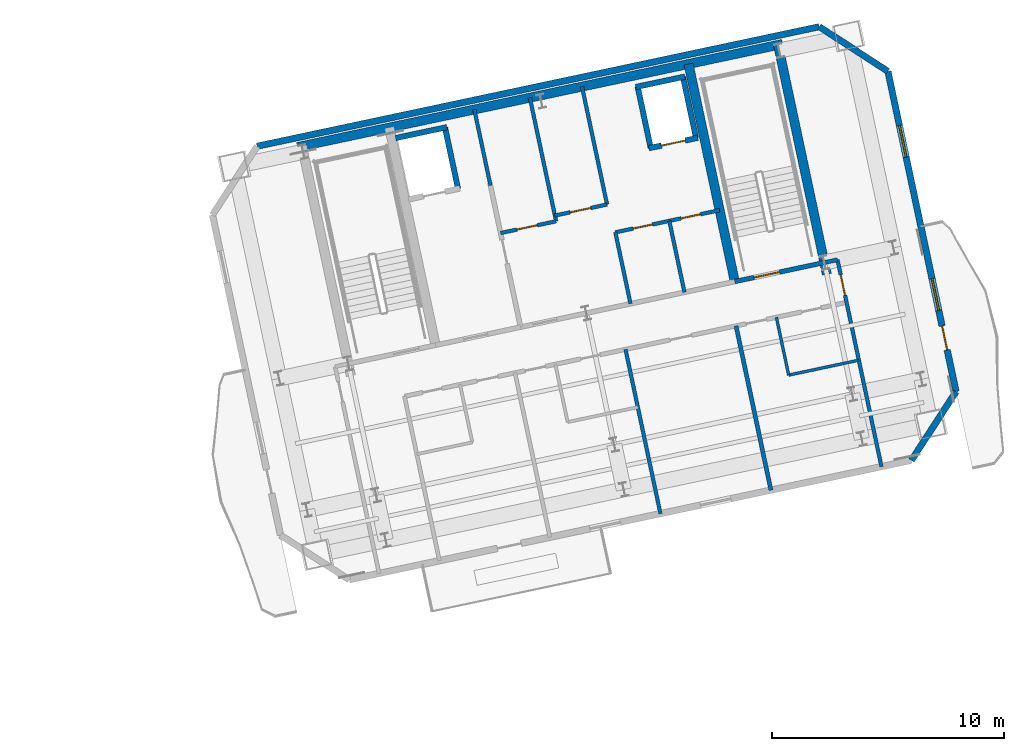
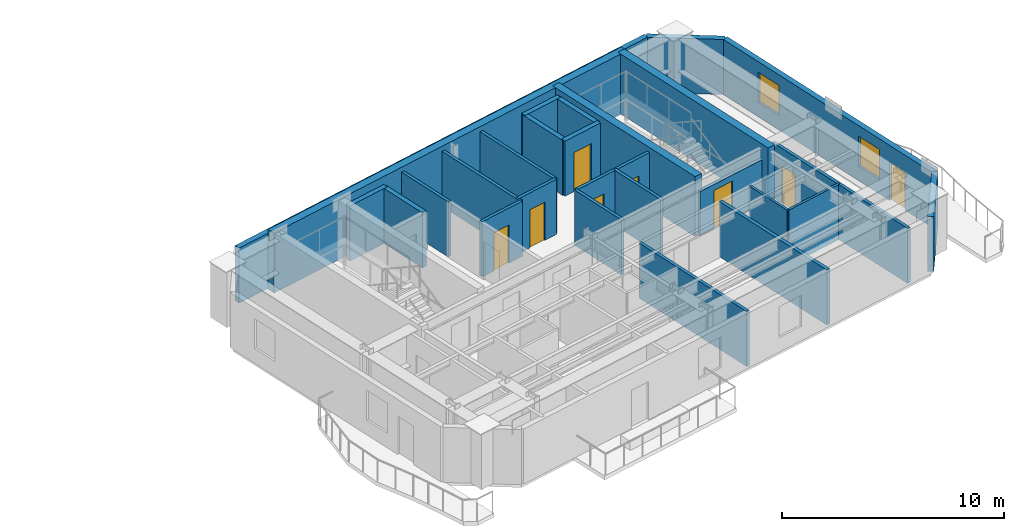
# One storey, part 11 of 16: 28 walls, 8 doors, 2 windows, 10 openings.
"""IFC4 building model written with IfcOpenShell, lengths in metres."""

import ifcopenshell
import ifcopenshell.guid

model = None  # the IFC model being written
_history = None  # IfcOwnerHistory: only IFC2X3 demands one
_inside = {}  # id of a spatial element -> (the spatial element, [elements in it])
_under = {}  # id of a project, library or spatial element -> (it, [spatial elements below it])
_declared = {}  # id of a project -> (the project, [libraries it declares])
_typed = {}  # id of a type object -> (the type object, [elements of that type])
_made_of = {}  # id of a material, layer set ... -> (it, [elements and type objects made of it])


def new_model(schema):
    """Start an empty IFC model of exactly this schema.

    Asked for "IFC4X3", IfcOpenShell would pick the latest addendum, in which some entities
    have other attributes; the version numbers below select the first issue.
    IFC2X3 requires an IfcOwnerHistory on every rooted entity: one is made here for all.
    """
    global model, _history
    if schema == "IFC4X3":
        model = ifcopenshell.file(schema_version=(4, 3, 0, 0))
    else:
        model = ifcopenshell.file(schema=schema)
    _inside.clear()
    _under.clear()
    _declared.clear()
    _typed.clear()
    _made_of.clear()
    _history = None
    if model.schema == "IFC2X3":
        org = make("IfcOrganization", Name="unknown")
        user = make(
            "IfcPersonAndOrganization",
            ThePerson=make("IfcPerson", FamilyName="unknown"),
            TheOrganization=org,
        )
        app = make(
            "IfcApplication",
            ApplicationDeveloper=org,
            Version="unknown",
            ApplicationFullName="unknown",
            ApplicationIdentifier="unknown",
        )
        _history = make(
            "IfcOwnerHistory",
            OwningUser=user,
            OwningApplication=app,
            ChangeAction="ADDED",
            CreationDate=0,
        )
    return model


def make(cls, **values):
    """One entity of the class cls with the attributes given. An attribute that is None is left unset."""
    return model.create_entity(
        cls, **{name: value for name, value in values.items() if value is not None}
    )


def rooted(cls, **values):
    """An entity with a GlobalId (a new one), such as an element, a storey or a relation."""
    return make(cls, GlobalId=ifcopenshell.guid.new(), OwnerHistory=_history, **values)


def si_unit(unit_type, name, prefix=None):
    """IfcSIUnit, for example si_unit("LENGTHUNIT", "METRE", prefix="MILLI")."""
    return make("IfcSIUnit", UnitType=unit_type, Prefix=prefix, Name=name)


def assignment(units):
    """IfcUnitAssignment: the units of a project."""
    return None if units is None else make("IfcUnitAssignment", Units=units)


def point(xyz):
    """IfcCartesianPoint."""
    return None if xyz is None else make("IfcCartesianPoint", Coordinates=xyz)


def direction(xyz):
    """IfcDirection."""
    return None if xyz is None else make("IfcDirection", DirectionRatios=xyz)


def frame(location, z_axis=None, x_axis=None):
    """IfcAxis2Placement3D, a coordinate frame: its origin and axes. An axis left out is left unset."""
    return make(
        "IfcAxis2Placement3D",
        Location=point(location),
        Axis=direction(z_axis),
        RefDirection=direction(x_axis),
    )


def frame_2d(location, x_axis=None):
    """IfcAxis2Placement2D, a coordinate frame in the plane: its origin and x axis."""
    return make(
        "IfcAxis2Placement2D", Location=point(location), RefDirection=direction(x_axis)
    )


def origin():
    """The frame at (0, 0, 0) with its axes left unset."""
    return frame((0.0, 0.0, 0.0))


def place(relative_to, where):
    """IfcLocalPlacement: puts the frame where relative to a parent placement (None: the world)."""
    return make(
        "IfcLocalPlacement", PlacementRelTo=relative_to, RelativePlacement=where
    )


def context(
    kind, dimensions, precision=None, world=None, true_north=None, identifier=None
):
    """IfcGeometricRepresentationContext, for example the 3D "Model" context."""
    return make(
        "IfcGeometricRepresentationContext",
        ContextIdentifier=identifier,
        ContextType=kind,
        CoordinateSpaceDimension=dimensions,
        Precision=precision,
        WorldCoordinateSystem=world,
        TrueNorth=true_north,
    )


def subcontext(parent, identifier, kind, view, scale=None):
    """IfcGeometricRepresentationSubContext, for example "Body" below "Model"."""
    return make(
        "IfcGeometricRepresentationSubContext",
        ContextIdentifier=identifier,
        ContextType=kind,
        ParentContext=parent,
        TargetScale=scale,
        TargetView=view,
    )


def project(units=None, contexts=None):
    """IfcProject with its units and contexts."""
    return rooted(
        "IfcProject",
        Name="project",
        RepresentationContexts=contexts,
        UnitsInContext=assignment(units),
    )


def spatial(cls, under=None, at=None, **own):
    """A site, building, storey or space (cls), placed at a placement, below another one or the project."""
    s = rooted(cls, ObjectPlacement=at, **own)
    if under is not None:
        _under.setdefault(under.id(), (under, []))[1].append(s)
    return s


def profile(cls, at=None, kind="AREA", **sizes):
    """A parametric profile (cls). Its sizes go by their IFC names, for example OverallWidth=200.0."""
    return make(cls, ProfileType=kind, Position=at, **sizes)


def rectangle(**sizes):
    """IfcRectangleProfileDef."""
    return profile("IfcRectangleProfileDef", **sizes)


def extrude(swept, where, along, depth):
    """IfcExtrudedAreaSolid: the profile swept, set in the frame where, extruded along a direction by depth."""
    return make(
        "IfcExtrudedAreaSolid",
        SweptArea=swept,
        Position=where,
        ExtrudedDirection=direction(along),
        Depth=depth,
    )


def shape(context_of_items, identifier, shape_type, items):
    """IfcShapeRepresentation: the items that make up one representation, for example the "Body"."""
    return make(
        "IfcShapeRepresentation",
        ContextOfItems=context_of_items,
        RepresentationIdentifier=identifier,
        RepresentationType=shape_type,
        Items=items,
    )


def material(Name=None, Category=None):
    """IfcMaterial."""
    return make("IfcMaterial", Name=Name, Category=Category)


def layer(
    of_material, thickness, ventilated=None, Name=None, Category=None, Priority=None
):
    """IfcMaterialLayer: one layer of a wall or slab, of a material (None: an air gap)."""
    return make(
        "IfcMaterialLayer",
        Material=of_material,
        LayerThickness=thickness,
        IsVentilated=ventilated,
        Name=Name,
        Category=Category,
        Priority=Priority,
    )


def layer_set(layers, Name=None):
    """IfcMaterialLayerSet."""
    return make("IfcMaterialLayerSet", MaterialLayers=layers, LayerSetName=Name)


def made_of(thing, what):
    """Note that an element or type object is made of a material, layer set ...; save() writes the relation."""
    if what is not None:
        _made_of.setdefault(what.id(), (what, []))[1].append(thing)
    return thing


def type_object(cls, material=None, **own):
    """A type object (cls), such as IfcWallType, which elements share."""
    return made_of(rooted(cls, **own), material)


def element(
    cls,
    number,
    at=None,
    inside=None,
    cuts=None,
    type_object=None,
    material=None,
    context=None,
    identifier="Body",
    shape_type=None,
    held_by="IfcProductDefinitionShape",
    body=None,
    shapes=None,
    **own,
):
    """One element of the class cls, such as IfcWall. Its Tag is "e" and its number.

    at: its placement. inside: the storey or other place that contains it. cuts: it is an
    opening in that element (IfcRelVoidsElement). A single representation is given by context,
    identifier, shape_type and body (its items); several are given by shapes. held_by: the class
    of the entity that holds the representations. save() writes the other relations.
    """
    e = rooted(cls, Tag="e%d" % number, ObjectPlacement=at, **own)
    if body is not None:
        shapes = [shape(context, identifier, shape_type, body)]
    if shapes is not None:
        e.Representation = make(held_by, Representations=shapes)
    if inside is not None:
        _inside.setdefault(inside.id(), (inside, []))[1].append(e)
    if cuts is not None:
        rooted(
            "IfcRelVoidsElement", RelatingBuildingElement=cuts, RelatedOpeningElement=e
        )
    if type_object is not None:
        _typed.setdefault(type_object.id(), (type_object, []))[1].append(e)
    return made_of(e, material)


def fill(opening, filler):
    """IfcRelFillsElement: the door or window that sits in an opening."""
    return rooted(
        "IfcRelFillsElement",
        RelatingOpeningElement=opening,
        RelatedBuildingElement=filler,
    )


def aggregate(whole, parts):
    """IfcRelAggregates: a whole, such as a stair, and the parts it consists of."""
    return rooted("IfcRelAggregates", RelatingObject=whole, RelatedObjects=parts)


def save(model, path):
    """Write the relations noted so far, then the file.

    IfcRelAggregates (storeys below a building ...), IfcRelContainedInSpatialStructure (elements
    in a storey), IfcRelDefinesByType, IfcRelAssociatesMaterial and IfcRelDeclares: one each for
    every whole, place, type object, material and project.
    """
    for whole, parts in _under.values():
        aggregate(whole, parts)
    for where, things in _inside.values():
        rooted(
            "IfcRelContainedInSpatialStructure",
            RelatedElements=things,
            RelatingStructure=where,
        )
    for kind, things in _typed.values():
        rooted("IfcRelDefinesByType", RelatedObjects=things, RelatingType=kind)
    for what, things in _made_of.values():
        rooted("IfcRelAssociatesMaterial", RelatedObjects=things, RelatingMaterial=what)
    for by, libraries in _declared.values():
        rooted("IfcRelDeclares", RelatingContext=by, RelatedDefinitions=libraries)
    model.write(path)


model = new_model("IFC4")

# Units and contexts
model_context = context("Model", 3, precision=1e-05, world=origin(), true_north=direction((0.0, 1.0)))
body_context = subcontext(model_context, "Body", "Model", "MODEL_VIEW")
ifc_project = project(units=[si_unit("LENGTHUNIT", "METRE"), si_unit("AREAUNIT", "SQUARE_METRE"), si_unit("VOLUMEUNIT", "CUBIC_METRE"), si_unit("PLANEANGLEUNIT", "RADIAN"), si_unit("MASSUNIT", "GRAM", prefix="KILO")], contexts=[model_context])

# Site, building, storey
site_placement = place(None, origin())
site = spatial("IfcSite", under=ifc_project, at=site_placement, CompositionType="ELEMENT")
building_placement = place(site_placement, origin())
building = spatial("IfcBuilding", under=site, at=building_placement, Name="Haevon Station Towers", CompositionType="ELEMENT")
storey_placement = place(building_placement, frame((0.0, 0.0, 215.39990234375)))
storey = spatial("IfcBuildingStorey", under=building, at=storey_placement, Name="L59", CompositionType="ELEMENT", Elevation=215.39990234375)

# Walls
ifc_material_1 = material(Name="Gypsum board on steel stud", Category="steel")
ifc_layer_1 = layer(ifc_material_1, 0.179931640625)
ifc_layer_set_1 = layer_set([ifc_layer_1], Name="Gypsum board on steel stud")
wall_type_1 = type_object("IfcWallType", Name="WL-ACU180", PredefinedType="PARTITIONING", material=ifc_layer_set_1)
wall_1_placement = place(storey_placement, frame((119.29345703125, 41.80859375, 0.0), z_axis=(0.0, 0.0, 1.0), x_axis=(0.978146012851, 0.207919161079, 0.0)))
element("IfcWall", 1, at=wall_1_placement, inside=storey, type_object=wall_type_1, Name="WL-T2PT-L59-03", PredefinedType="PARTITIONING", context=body_context, shape_type="SweptSolid", body=[
    extrude(rectangle(XDim=0.580078125, YDim=0.179931640625, at=frame_2d((0.2900390625, 0.0))), origin(), (0.0, 0.0, 1.0), 1.22998046875),
])
wall_2_placement = place(storey_placement, frame((116.990478515625, 31.985107421875, 0.0), z_axis=(0.0, 0.0, 1.0), x_axis=(-0.207907487947, 0.978148494072, 0.0)))
element("IfcWall", 2, at=wall_2_placement, inside=storey, type_object=wall_type_1, Name="WL-T2PT-L59-12", PredefinedType="PARTITIONING", context=body_context, shape_type="SweptSolid", body=[
    extrude(rectangle(XDim=7.25, YDim=0.179931640625, at=frame_2d((3.625, 0.0))), origin(), (0.0, 0.0, 1.0), 3.030029296875),
])

# Wall, opening, door
ifc_layer_2 = layer(ifc_material_1, 0.199951171875)
ifc_layer_set_2 = layer_set([ifc_layer_2], Name="Gypsum board on steel stud")
wall_type_2 = type_object("IfcWallType", Name="WL-COR200", PredefinedType="PARTITIONING", material=ifc_layer_set_2)
wall_3_placement = place(storey_placement, frame((115.4296875, 40.9873046875, 0.0), z_axis=(0.0, 0.0, 1.0), x_axis=(0.978146596989, 0.207916413008, 0.0)))
wall_3 = element("IfcWall", 3, at=wall_3_placement, inside=storey, type_object=wall_type_2, Name="WL-ST-ST4-L59", PredefinedType="PARTITIONING", context=body_context, shape_type="SweptSolid", body=[
    extrude(rectangle(XDim=3.9501953125, YDim=0.199951171875, at=frame_2d((1.97509765625, 0.0))), origin(), (0.0, 0.0, 1.0), 2.43017578125),
])
opening_1_placement = place(wall_3_placement, frame((0.85009765625, 0.0, 0.0)))
opening_1 = element("IfcOpeningElement", 4, at=opening_1_placement, cuts=wall_3, Name="Opening DR-ST-ST4-L59", PredefinedType="OPENING", context=body_context, shape_type="SweptSolid", body=[
    extrude(rectangle(XDim=1.1201171875, YDim=2.10009765625, at=frame_2d((0.56005859375, 1.050048828125))), frame((0.0, 0.10986328125, 0.0), z_axis=(0.0, -1.0, 0.0), x_axis=(1.0, 0.0, 0.0)), (0.0, 0.0, 1.0), 0.219970703125),
])
ifc_material_2 = material(Name="Engineered oak timber", Category="wood")
door_type_1 = type_object("IfcDoorType", Name="DR-ST-1120", OperationType="NOTDEFINED", PredefinedType="DOOR", material=ifc_material_2)
door_1_placement = place(opening_1_placement, origin())
door_1 = element("IfcDoor", 5, at=door_1_placement, inside=storey, type_object=door_type_1, Name="L59 Escape Stair ST4 Fire Door", OperationType="SINGLE_SWING_LEFT", OverallHeight=2.10009765625, OverallWidth=1.1201171875, PredefinedType="DOOR", context=body_context, shape_type="SweptSolid", body=[
    extrude(rectangle(XDim=1.1201171875, YDim=2.10009765625, at=frame_2d((0.56005859375, 1.050048828125))), frame((0.0, 0.02490234375, 0.0), z_axis=(0.0, -1.0, 0.0), x_axis=(1.0, 0.0, 0.0)), (0.0, 0.0, 1.0), 0.050048828125),
])
fill(opening_1, door_1)

# Walls
ifc_material_3 = material(Name="Concrete C60/75", Category="concrete")
ifc_layer_3 = layer(ifc_material_3, 0.39990234375)
ifc_layer_set_3 = layer_set([ifc_layer_3], Name="Concrete C60/75")
wall_type_3 = type_object("IfcWallType", Name="WL-CR400", PredefinedType="SHEAR", material=ifc_layer_set_3)
wall_4_placement = place(storey_placement, frame((96.560791015625, 46.791015625, 0.0), z_axis=(0.0, 0.0, 1.0), x_axis=(0.978148498705, 0.207907466152, 0.0)))
element("IfcWall", 6, at=wall_4_placement, inside=storey, type_object=wall_type_3, Name="WL-T2CR-L59-N", PredefinedType="SHEAR", context=body_context, shape_type="SweptSolid", body=[
    extrude(rectangle(XDim=21.39990234375, YDim=0.39990234375, at=frame_2d((10.699951171875, 0.0))), origin(), (0.0, 0.0, 1.0), 3.300048828125),
])
wall_5_placement = place(storey_placement, frame((119.401611328125, 41.2998046875, 0.0), z_axis=(0.0, 0.0, 1.0), x_axis=(-0.207904342798, 0.978149162575, 0.0)))
element("IfcWall", 7, at=wall_5_placement, inside=storey, type_object=wall_type_3, Name="WL-T2CR-L59-E", PredefinedType="SHEAR", context=body_context, shape_type="SweptSolid", body=[
    extrude(rectangle(XDim=10.1201171875, YDim=0.39990234375, at=frame_2d((5.06005859375, 0.0))), origin(), (0.0, 0.0, 1.0), 3.300048828125),
])
wall_6_placement = place(storey_placement, frame((115.4296875, 40.9873046875, 0.0), z_axis=(0.0, 0.0, 1.0), x_axis=(-0.207903162969, 0.978149413345, 0.0)))
element("IfcWall", 8, at=wall_6_placement, inside=storey, type_object=wall_type_3, Name="WL-T2CR-L59-M2", PredefinedType="SHEAR", context=body_context, shape_type="SweptSolid", body=[
    extrude(rectangle(XDim=9.599853515625, YDim=0.39990234375, at=frame_2d((4.7998046875, 0.0))), origin(), (0.0, 0.0, 1.0), 3.300048828125),
])
ifc_material_4 = material(Name="Precast concrete C45/55", Category="concrete")
ifc_layer_4 = layer(ifc_material_4, 0.280029296875)
ifc_layer_set_4 = layer_set([ifc_layer_4], Name="Precast concrete C45/55")
wall_type_4 = type_object("IfcWallType", Name="WL-EXT-PIER280", PredefinedType="SOLIDWALL", material=ifc_layer_set_4)
wall_7_placement = place(storey_placement, frame((94.814697265625, 46.828857421875, 0.0), z_axis=(0.0, 0.0, 1.0), x_axis=(0.97814726544, 0.207913268245, 0.0)))
element("IfcWall", 9, at=wall_7_placement, inside=storey, type_object=wall_type_4, Name="WL-T2-L59-N", PredefinedType="SOLIDWALL", context=body_context, shape_type="SweptSolid", body=[
    extrude(rectangle(XDim=24.800048828125, YDim=0.280029296875, at=frame_2d((12.39990234375, 0.0))), origin(), (0.0, 0.0, 1.0), 3.030029296875),
])
wall_8_placement = place(storey_placement, frame((119.07275390625, 51.985107421875, 0.0), z_axis=(0.0, 0.0, 1.0), x_axis=(0.838672309694, -0.544636352948, 0.0)))
element("IfcWall", 10, at=wall_8_placement, inside=storey, type_object=wall_type_4, Name="WL-T2-L59-NEC", PredefinedType="SOLIDWALL", context=body_context, shape_type="SweptSolid", body=[
    extrude(rectangle(XDim=3.535400390625, YDim=0.280029296875, at=frame_2d((1.767578125, 0.0))), origin(), (0.0, 0.0, 1.0), 3.030029296875),
])

# Wall, openings, door, windows
wall_9_placement = place(storey_placement, frame((122.037841796875, 50.0595703125, 0.0), z_axis=(0.0, 0.0, 1.0), x_axis=(0.207924054969, -0.978144972571, 0.0)))
wall_9 = element("IfcWall", 11, at=wall_9_placement, inside=storey, type_object=wall_type_4, Name="WL-T2-L59-E", PredefinedType="SOLIDWALL", context=body_context, shape_type="SweptSolid", body=[
    extrude(rectangle(XDim=14.130126953125, YDim=0.280029296875, at=frame_2d((7.06494140625, 0.0))), origin(), (0.0, 0.0, 1.0), 3.030029296875),
])
opening_2_placement = place(wall_9_placement, frame((11.239990234375, 0.0, 0.0)))
opening_2 = element("IfcOpeningElement", 12, at=opening_2_placement, cuts=wall_9, Name="Opening DR-T2-SCAL-L59-E", PredefinedType="OPENING", context=body_context, shape_type="SweptSolid", body=[
    extrude(rectangle(XDim=1.050048828125, YDim=2.10009765625, at=frame_2d((0.52490234375, 1.050048828125))), frame((0.0, 0.14990234375, 0.0), z_axis=(0.0, -1.0, 0.0), x_axis=(1.0, 0.0, 0.0)), (0.0, 0.0, 1.0), 0.300048828125),
])
opening_3_placement = place(wall_9_placement, frame((2.389892578125, 0.0, 0.800048828125)))
opening_3 = element("IfcOpeningElement", 13, at=opening_3_placement, cuts=wall_9, Name="Opening WN-END140", PredefinedType="OPENING", context=body_context, shape_type="SweptSolid", body=[
    extrude(rectangle(XDim=1.39990234375, YDim=1.64990234375, at=frame_2d((0.699951171875, 0.824951171875))), frame((0.0, 0.14990234375, 0.0), z_axis=(0.0, -1.0, 0.0), x_axis=(1.0, 0.0, 0.0)), (0.0, 0.0, 1.0), 0.300048828125),
])
opening_4_placement = place(wall_9_placement, frame((9.1474609375, 0.0, 0.800048828125)))
opening_4 = element("IfcOpeningElement", 14, at=opening_4_placement, cuts=wall_9, Name="Opening WN-END140", PredefinedType="OPENING", context=body_context, shape_type="SweptSolid", body=[
    extrude(rectangle(XDim=1.39990234375, YDim=1.64990234375, at=frame_2d((0.699951171875, 0.824951171875))), frame((0.0, 0.14990234375, 0.0), z_axis=(0.0, -1.0, 0.0), x_axis=(1.0, 0.0, 0.0)), (0.0, 0.0, 1.0), 0.300048828125),
])
ifc_material_5 = material(Name="Thermally broken anodised aluminium and laminated safety glass", Category="aluminium")
door_type_2 = type_object("IfcDoorType", Name="DR-BALC-1050", OperationType="NOTDEFINED", PredefinedType="DOOR", material=ifc_material_5)
door_2_placement = place(opening_2_placement, origin())
door_2 = element("IfcDoor", 15, at=door_2_placement, inside=storey, type_object=door_type_2, Name="Tower 2 L59 East Scalloped Balcony Door", OperationType="SINGLE_SWING_RIGHT", OverallHeight=2.10009765625, OverallWidth=1.050048828125, PredefinedType="DOOR", context=body_context, shape_type="SweptSolid", body=[
    extrude(rectangle(XDim=1.050048828125, YDim=2.10009765625, at=frame_2d((0.52490234375, 1.050048828125))), frame((0.0, 0.02490234375, 0.0), z_axis=(0.0, -1.0, 0.0), x_axis=(1.0, 0.0, 0.0)), (0.0, 0.0, 1.0), 0.050048828125),
])
fill(opening_2, door_2)
ifc_material_6 = material(Name="Low-E triple glazing in thermally broken aluminium", Category="aluminium")
window_type = type_object("IfcWindowType", Name="WN-END140", PartitioningType="SINGLE_PANEL", PredefinedType="WINDOW", material=ifc_material_6)
window_1_placement = place(opening_3_placement, origin())
window_1 = element("IfcWindow", 16, at=window_1_placement, inside=storey, type_object=window_type, Name="WN-T2-L59-E01", OverallHeight=1.64990234375, OverallWidth=1.39990234375, PartitioningType="SINGLE_PANEL", PredefinedType="WINDOW", context=body_context, shape_type="SweptSolid", body=[
    extrude(rectangle(XDim=1.39990234375, YDim=1.64990234375, at=frame_2d((0.699951171875, 0.824951171875))), frame((0.0, 0.030029296875, 0.0), z_axis=(0.0, -1.0, 0.0), x_axis=(1.0, 0.0, 0.0)), (0.0, 0.0, 1.0), 0.06005859375),
])
fill(opening_3, window_1)
window_2_placement = place(opening_4_placement, origin())
window_2 = element("IfcWindow", 17, at=window_2_placement, inside=storey, type_object=window_type, Name="WN-T2-L59-E02", OverallHeight=1.64990234375, OverallWidth=1.39990234375, PartitioningType="SINGLE_PANEL", PredefinedType="WINDOW", context=body_context, shape_type="SweptSolid", body=[
    extrude(rectangle(XDim=1.39990234375, YDim=1.64990234375, at=frame_2d((0.699951171875, 0.824951171875))), frame((0.0, 0.030029296875, 0.0), z_axis=(0.0, -1.0, 0.0), x_axis=(1.0, 0.0, 0.0)), (0.0, 0.0, 1.0), 0.06005859375),
])
fill(opening_4, window_2)

# Walls
wall_10_placement = place(storey_placement, frame((124.975830078125, 36.23828125, 0.0), z_axis=(0.0, 0.0, 1.0), x_axis=(-0.544684921471, -0.838640767148, 0.0)))
element("IfcWall", 18, at=wall_10_placement, inside=storey, type_object=wall_type_4, Name="WL-T2-L59-SEC", PredefinedType="SOLIDWALL", context=body_context, shape_type="SweptSolid", body=[
    extrude(rectangle(XDim=3.53564453125, YDim=0.280029296875, at=frame_2d((1.767822265625, 0.0))), origin(), (0.0, 0.0, 1.0), 3.030029296875),
])
ifc_layer_5 = layer(ifc_material_1, 0.125)
ifc_layer_set_5 = layer_set([ifc_layer_5], Name="Gypsum board on steel stud")
wall_type_5 = type_object("IfcWallType", Name="WL-PRT125", PredefinedType="PARTITIONING", material=ifc_layer_set_5)
wall_11_placement = place(storey_placement, frame((117.75439453125, 36.952392578125, 0.0), z_axis=(0.0, 0.0, 1.0), x_axis=(0.978142809708, 0.207934229547, 0.0)))
element("IfcWall", 19, at=wall_11_placement, inside=storey, type_object=wall_type_5, Name="WL-T2PT-L59-13", PredefinedType="PARTITIONING", context=body_context, shape_type="SweptSolid", body=[
    extrude(rectangle(XDim=3.094970703125, YDim=0.125, at=frame_2d((1.54736328125, 0.0))), origin(), (0.0, 0.0, 1.0), 3.030029296875),
])
wall_12_placement = place(storey_placement, frame((117.75439453125, 36.952392578125, 0.0), z_axis=(0.0, 0.0, 1.0), x_axis=(-0.207848450565, 0.978161040728, 0.0)))
element("IfcWall", 20, at=wall_12_placement, inside=storey, type_object=wall_type_5, Name="WL-T2PT-L59-14", PredefinedType="PARTITIONING", context=body_context, shape_type="SweptSolid", body=[
    extrude(rectangle(XDim=2.550048828125, YDim=0.125, at=frame_2d((1.27490234375, 0.0))), origin(), (0.0, 0.0, 1.0), 3.030029296875),
])
ifc_layer_6 = layer(ifc_material_1, 0.159912109375)
ifc_layer_set_6 = layer_set([ifc_layer_6], Name="Gypsum board on steel stud")
wall_type_6 = type_object("IfcWallType", Name="WL-PRT160", PredefinedType="PARTITIONING", material=ifc_layer_set_6)
wall_13_placement = place(storey_placement, frame((104.88671875, 45.135986328125, 0.0), z_axis=(0.0, 0.0, 1.0), x_axis=(-0.207846553267, 0.978161443881, 0.0)))
element("IfcWall", 21, at=wall_13_placement, inside=storey, type_object=wall_type_6, Name="WL-T2CW-L59-01", PredefinedType="PARTITIONING", context=body_context, shape_type="SweptSolid", body=[
    extrude(rectangle(XDim=3.35009765625, YDim=0.159912109375, at=frame_2d((1.675048828125, 0.0))), origin(), (0.0, 0.0, 1.0), 3.030029296875),
])

# Wall, opening, door
wall_14_placement = place(storey_placement, frame((105.323486328125, 43.081787109375, 0.0), z_axis=(0.0, 0.0, 1.0), x_axis=(0.978136559131, 0.207963630695, 0.0)))
wall_14 = element("IfcWall", 22, at=wall_14_placement, inside=storey, type_object=wall_type_6, Name="WL-T2CW-L59-02", PredefinedType="PARTITIONING", context=body_context, shape_type="SweptSolid", body=[
    extrude(rectangle(XDim=2.449951171875, YDim=0.159912109375, at=frame_2d((1.22509765625, 0.0))), origin(), (0.0, 0.0, 1.0), 3.030029296875),
])
opening_5_placement = place(wall_14_placement, frame((0.719970703125, 0.0, 0.0)))
opening_5 = element("IfcOpeningElement", 23, at=opening_5_placement, cuts=wall_14, Name="Opening DR-WL-T2CW-L59-02-1", PredefinedType="OPENING", context=body_context, shape_type="SweptSolid", body=[
    extrude(rectangle(XDim=0.89990234375, YDim=2.10009765625, at=frame_2d((0.449951171875, 1.050048828125))), frame((0.0, 0.08984375, 0.0), z_axis=(0.0, -1.0, 0.0), x_axis=(1.0, 0.0, 0.0)), (0.0, 0.0, 1.0), 0.179931640625),
])
door_type_3 = type_object("IfcDoorType", Name="DR-FD60-900", OperationType="NOTDEFINED", PredefinedType="DOOR", material=ifc_material_2)
door_3_placement = place(opening_5_placement, origin())
door_3 = element("IfcDoor", 24, at=door_3_placement, inside=storey, type_object=door_type_3, Name="L59 Tower 2 Core Room Door 2-1", OperationType="SINGLE_SWING_LEFT", OverallHeight=2.10009765625, OverallWidth=0.89990234375, PredefinedType="DOOR", context=body_context, shape_type="SweptSolid", body=[
    extrude(rectangle(XDim=0.89990234375, YDim=2.10009765625, at=frame_2d((0.449951171875, 1.050048828125))), frame((0.0, 0.02490234375, 0.0), z_axis=(0.0, -1.0, 0.0), x_axis=(1.0, 0.0, 0.0)), (0.0, 0.0, 1.0), 0.050048828125),
])
fill(opening_5, door_3)

# Wall
wall_15_placement = place(storey_placement, frame((107.719970703125, 43.59130859375, 0.0), z_axis=(0.0, 0.0, 1.0), x_axis=(-0.207947156665, 0.978140061563, 0.0)))
element("IfcWall", 25, at=wall_15_placement, inside=storey, type_object=wall_type_6, Name="WL-T2CW-L59-03", PredefinedType="PARTITIONING", context=body_context, shape_type="SweptSolid", body=[
    extrude(rectangle(XDim=5.449951171875, YDim=0.159912109375, at=frame_2d((2.72509765625, 0.0))), origin(), (0.0, 0.0, 1.0), 3.030029296875),
])

# Wall, opening, door
wall_16_placement = place(storey_placement, frame((107.66796875, 43.835693359375, 0.0), z_axis=(0.0, 0.0, 1.0), x_axis=(0.978141312374, 0.207941273027, 0.0)))
wall_16 = element("IfcWall", 26, at=wall_16_placement, inside=storey, type_object=wall_type_6, Name="WL-T2CW-L59-04", PredefinedType="PARTITIONING", context=body_context, shape_type="SweptSolid", body=[
    extrude(rectangle(XDim=2.300048828125, YDim=0.159912109375, at=frame_2d((1.14990234375, 0.0))), origin(), (0.0, 0.0, 1.0), 3.030029296875),
])
opening_6_placement = place(wall_16_placement, frame((0.679931640625, 0.0, 0.0)))
opening_6 = element("IfcOpeningElement", 27, at=opening_6_placement, cuts=wall_16, Name="Opening DR-WL-T2CW-L59-04-1", PredefinedType="OPENING", context=body_context, shape_type="SweptSolid", body=[
    extrude(rectangle(XDim=0.89990234375, YDim=2.10009765625, at=frame_2d((0.449951171875, 1.050048828125))), frame((0.0, 0.08984375, 0.0), z_axis=(0.0, -1.0, 0.0), x_axis=(1.0, 0.0, 0.0)), (0.0, 0.0, 1.0), 0.179931640625),
])
door_4_placement = place(opening_6_placement, origin())
door_4 = element("IfcDoor", 28, at=door_4_placement, inside=storey, type_object=door_type_3, Name="L59 Tower 2 Core Room Door 4-1", OperationType="SINGLE_SWING_RIGHT", OverallHeight=2.10009765625, OverallWidth=0.89990234375, PredefinedType="DOOR", context=body_context, shape_type="SweptSolid", body=[
    extrude(rectangle(XDim=0.89990234375, YDim=2.10009765625, at=frame_2d((0.449951171875, 1.050048828125))), frame((0.0, 0.02490234375, 0.0), z_axis=(0.0, -1.0, 0.0), x_axis=(1.0, 0.0, 0.0)), (0.0, 0.0, 1.0), 0.050048828125),
])
fill(opening_6, door_4)

# Walls
wall_17_placement = place(storey_placement, frame((109.917724609375, 44.31396484375, 0.0), z_axis=(0.0, 0.0, 1.0), x_axis=(-0.207938489641, 0.978141904084, 0.0)))
element("IfcWall", 29, at=wall_17_placement, inside=storey, type_object=wall_type_6, Name="WL-T2CW-L59-05", PredefinedType="PARTITIONING", context=body_context, shape_type="SweptSolid", body=[
    extrude(rectangle(XDim=5.2001953125, YDim=0.159912109375, at=frame_2d((2.60009765625, 0.0))), origin(), (0.0, 0.0, 1.0), 3.030029296875),
])
wall_18_placement = place(storey_placement, frame((110.93017578125, 40.031005859375, 0.0), z_axis=(0.0, 0.0, 1.0), x_axis=(-0.207877295669, 0.978154911016, 0.0)))
element("IfcWall", 30, at=wall_18_placement, inside=storey, type_object=wall_type_6, Name="WL-T2CW-L59-06", PredefinedType="PARTITIONING", context=body_context, shape_type="SweptSolid", body=[
    extrude(rectangle(XDim=3.14990234375, YDim=0.159912109375, at=frame_2d((1.574951171875, 0.0))), origin(), (0.0, 0.0, 1.0), 3.030029296875),
])
wall_19_placement = place(storey_placement, frame((113.25830078125, 40.525634765625, 0.0), z_axis=(0.0, 0.0, 1.0), x_axis=(-0.207935688634, 0.978142499533, 0.0)))
element("IfcWall", 31, at=wall_19_placement, inside=storey, type_object=wall_type_6, Name="WL-T2CW-L59-07", PredefinedType="PARTITIONING", context=body_context, shape_type="SweptSolid", body=[
    extrude(rectangle(XDim=3.150146484375, YDim=0.159912109375, at=frame_2d((1.5751953125, 0.0))), origin(), (0.0, 0.0, 1.0), 3.030029296875),
])

# Wall, openings, doors
wall_20_placement = place(storey_placement, frame((110.275390625, 43.112060546875, 0.0), z_axis=(0.0, 0.0, 1.0), x_axis=(0.978152106073, 0.207890493732, 0.0)))
wall_20 = element("IfcWall", 32, at=wall_20_placement, inside=storey, type_object=wall_type_6, Name="WL-T2CW-L59-08", PredefinedType="PARTITIONING", context=body_context, shape_type="SweptSolid", body=[
    extrude(rectangle(XDim=4.60009765625, YDim=0.159912109375, at=frame_2d((2.300048828125, 0.0))), origin(), (0.0, 0.0, 1.0), 3.030029296875),
])
opening_7_placement = place(wall_20_placement, frame((0.784912109375, 0.0, 0.0)))
opening_7 = element("IfcOpeningElement", 33, at=opening_7_placement, cuts=wall_20, Name="Opening DR-WL-T2CW-L59-08-1", PredefinedType="OPENING", context=body_context, shape_type="SweptSolid", body=[
    extrude(rectangle(XDim=0.85009765625, YDim=2.050048828125, at=frame_2d((0.425048828125, 1.02490234375))), frame((0.0, 0.08984375, 0.0), z_axis=(0.0, -1.0, 0.0), x_axis=(1.0, 0.0, 0.0)), (0.0, 0.0, 1.0), 0.179931640625),
])
opening_8_placement = place(wall_20_placement, frame((2.905029296875, 0.0, 0.0)))
opening_8 = element("IfcOpeningElement", 34, at=opening_8_placement, cuts=wall_20, Name="Opening DR-WL-T2CW-L59-08-2", PredefinedType="OPENING", context=body_context, shape_type="SweptSolid", body=[
    extrude(rectangle(XDim=0.85009765625, YDim=2.050048828125, at=frame_2d((0.425048828125, 1.02490234375))), frame((0.0, 0.08984375, 0.0), z_axis=(0.0, -1.0, 0.0), x_axis=(1.0, 0.0, 0.0)), (0.0, 0.0, 1.0), 0.179931640625),
])
door_type_4 = type_object("IfcDoorType", Name="DR-FD30-850", OperationType="NOTDEFINED", PredefinedType="DOOR", material=ifc_material_2)
door_5_placement = place(opening_7_placement, origin())
door_5 = element("IfcDoor", 35, at=door_5_placement, inside=storey, type_object=door_type_4, Name="L59 Tower 2 Core Room Door 8-1", OperationType="SINGLE_SWING_LEFT", OverallHeight=2.050048828125, OverallWidth=0.85009765625, PredefinedType="DOOR", context=body_context, shape_type="SweptSolid", body=[
    extrude(rectangle(XDim=0.85009765625, YDim=2.050048828125, at=frame_2d((0.425048828125, 1.02490234375))), frame((0.0, 0.02490234375, 0.0), z_axis=(0.0, -1.0, 0.0), x_axis=(1.0, 0.0, 0.0)), (0.0, 0.0, 1.0), 0.050048828125),
])
fill(opening_7, door_5)
door_6_placement = place(opening_8_placement, origin())
door_6 = element("IfcDoor", 36, at=door_6_placement, inside=storey, type_object=door_type_4, Name="L59 Tower 2 Core Room Door 8-2", OperationType="SINGLE_SWING_RIGHT", OverallHeight=2.050048828125, OverallWidth=0.85009765625, PredefinedType="DOOR", context=body_context, shape_type="SweptSolid", body=[
    extrude(rectangle(XDim=0.85009765625, YDim=2.050048828125, at=frame_2d((0.425048828125, 1.02490234375))), frame((0.0, 0.02490234375, 0.0), z_axis=(0.0, -1.0, 0.0), x_axis=(1.0, 0.0, 0.0)), (0.0, 0.0, 1.0), 0.050048828125),
])
fill(opening_8, door_6)

# Wall, opening, door
wall_21_placement = place(storey_placement, frame((121.759033203125, 32.99853515625, 0.0), z_axis=(0.0, 0.0, 1.0), x_axis=(-0.207903528818, 0.978149335585, 0.0)))
wall_21 = element("IfcWall", 37, at=wall_21_placement, inside=storey, type_object=wall_type_6, Name="WL-T2PT-L59-05", PredefinedType="PARTITIONING", context=body_context, shape_type="SweptSolid", body=[
    extrude(rectangle(XDim=9.130126953125, YDim=0.159912109375, at=frame_2d((4.56494140625, 0.0))), origin(), (0.0, 0.0, 1.0), 3.030029296875),
])
opening_9_placement = place(wall_21_placement, frame((7.570068359375, 0.0, 0.0)))
opening_9 = element("IfcOpeningElement", 38, at=opening_9_placement, cuts=wall_21, Name="Opening DR-WL-T2PT-L59-05-01", PredefinedType="OPENING", context=body_context, shape_type="SweptSolid", body=[
    extrude(rectangle(XDim=0.89990234375, YDim=2.050048828125, at=frame_2d((0.449951171875, 1.02490234375))), frame((0.0, 0.08984375, 0.0), z_axis=(0.0, -1.0, 0.0), x_axis=(1.0, 0.0, 0.0)), (0.0, 0.0, 1.0), 0.179931640625),
])
door_type_5 = type_object("IfcDoorType", Name="DR-INT-900", OperationType="NOTDEFINED", PredefinedType="DOOR", material=ifc_material_2)
door_7_placement = place(opening_9_placement, origin())
door_7 = element("IfcDoor", 39, at=door_7_placement, inside=storey, type_object=door_type_5, Name="L59 Tower 2 Room Door 5-1", OperationType="SINGLE_SWING_RIGHT", OverallHeight=2.050048828125, OverallWidth=0.89990234375, PredefinedType="DOOR", context=body_context, shape_type="SweptSolid", body=[
    extrude(rectangle(XDim=0.89990234375, YDim=2.050048828125, at=frame_2d((0.449951171875, 1.02490234375))), frame((0.0, 0.02490234375, 0.0), z_axis=(0.0, -1.0, 0.0), x_axis=(1.0, 0.0, 0.0)), (0.0, 0.0, 1.0), 0.050048828125),
])
fill(opening_9, door_7)

# Walls
wall_22_placement = place(storey_placement, frame((112.22216796875, 30.971435546875, 0.0), z_axis=(0.0, 0.0, 1.0), x_axis=(-0.207939706685, 0.978141645358, 0.0)))
element("IfcWall", 40, at=wall_22_placement, inside=storey, type_object=wall_type_6, Name="WL-T2PT-L59-11", PredefinedType="PARTITIONING", context=body_context, shape_type="SweptSolid", body=[
    extrude(rectangle(XDim=7.25, YDim=0.159912109375, at=frame_2d((3.625, 0.0))), origin(), (0.0, 0.0, 1.0), 3.030029296875),
])
ifc_material_7 = material(Name="Concrete C40/50", Category="concrete")
ifc_layer_7 = layer(ifc_material_7, 0.239990234375)
ifc_layer_set_7 = layer_set([ifc_layer_7], Name="Concrete C40/50")
wall_type_7 = type_object("IfcWallType", Name="WL-SHF240", PredefinedType="PARTITIONING", material=ifc_layer_set_7)
wall_23_placement = place(storey_placement, frame((100.79248046875, 47.179443359375, 0.0), z_axis=(0.0, 0.0, 1.0), x_axis=(0.978162968872, 0.207839376268, 0.0)))
element("IfcWall", 41, at=wall_23_placement, inside=storey, type_object=wall_type_7, Name="WL-SHF-FL2-L59-N", PredefinedType="PARTITIONING", context=body_context, shape_type="SweptSolid", body=[
    extrude(rectangle(XDim=2.260009765625, YDim=0.239990234375, at=frame_2d((1.1298828125, 0.0))), origin(), (0.0, 0.0, 1.0), 3.030029296875),
])
wall_24_placement = place(storey_placement, frame((103.486328125, 44.99169921875, 0.0), z_axis=(0.0, 0.0, 1.0), x_axis=(-0.207978798957, 0.978133334052, 0.0)))
element("IfcWall", 42, at=wall_24_placement, inside=storey, type_object=wall_type_7, Name="WL-SHF-FL2-L59-E", PredefinedType="PARTITIONING", context=body_context, shape_type="SweptSolid", body=[
    extrude(rectangle(XDim=2.699951171875, YDim=0.239990234375, at=frame_2d((1.35009765625, 0.0))), origin(), (0.0, 0.0, 1.0), 3.030029296875),
])

# Wall, opening, door
wall_25_placement = place(storey_placement, frame((111.72216796875, 46.7421875, 0.0), z_axis=(0.0, 0.0, 1.0), x_axis=(0.97813528961, 0.207969601673, 0.0)))
wall_25 = element("IfcWall", 43, at=wall_25_placement, inside=storey, type_object=wall_type_7, Name="WL-SHF-PL10-L59", PredefinedType="PARTITIONING", context=body_context, shape_type="SweptSolid", body=[
    extrude(rectangle(XDim=2.159912109375, YDim=0.239990234375, at=frame_2d((1.080078125, 0.0))), origin(), (0.0, 0.0, 1.0), 3.030029296875),
])
opening_10_placement = place(wall_25_placement, frame((0.554931640625, 0.0, 0.0)))
opening_10 = element("IfcOpeningElement", 44, at=opening_10_placement, cuts=wall_25, Name="Opening LD-PL10-L59", PredefinedType="OPENING", context=body_context, shape_type="SweptSolid", body=[
    extrude(rectangle(XDim=1.050048828125, YDim=2.14990234375, at=frame_2d((0.52490234375, 1.074951171875))), frame((0.0, 0.1298828125, 0.0), z_axis=(0.0, -1.0, 0.0), x_axis=(1.0, 0.0, 0.0)), (0.0, 0.0, 1.0), 0.260009765625),
])
ifc_material_8 = material(Name="Stainless steel and rated core", Category="steel")
door_type_6 = type_object("IfcDoorType", Name="LD-PL1050", OperationType="SLIDING_TO_LEFT", PredefinedType="DOOR", material=ifc_material_8)
door_8_placement = place(opening_10_placement, origin())
door_8 = element("IfcDoor", 45, at=door_8_placement, inside=storey, type_object=door_type_6, Name="L59 Lift PL10 Sliding Landing Door", OperationType="SLIDING_TO_LEFT", OverallHeight=2.14990234375, OverallWidth=1.050048828125, PredefinedType="DOOR", context=body_context, shape_type="SweptSolid", body=[
    extrude(rectangle(XDim=1.050048828125, YDim=2.14990234375, at=frame_2d((0.52490234375, 1.074951171875))), frame((0.0, 0.02490234375, 0.0), z_axis=(0.0, -1.0, 0.0), x_axis=(1.0, 0.0, 0.0)), (0.0, 0.0, 1.0), 0.050048828125),
])
fill(opening_10, door_8)

# Walls
wall_26_placement = place(storey_placement, frame((111.160888671875, 49.38330078125, 0.0), z_axis=(0.0, 0.0, 1.0), x_axis=(0.978158276388, 0.207861459473, 0.0)))
element("IfcWall", 46, at=wall_26_placement, inside=storey, type_object=wall_type_7, Name="WL-SHF-PL10-L59-N", PredefinedType="PARTITIONING", context=body_context, shape_type="SweptSolid", body=[
    extrude(rectangle(XDim=2.159912109375, YDim=0.239990234375, at=frame_2d((1.080078125, 0.0))), origin(), (0.0, 0.0, 1.0), 3.030029296875),
])
for number, where, z_axis, x_axis, name in (
    (47, (111.800537109375, 46.7587890625, 0.0), (0.0, 0.0, 1.0), (-0.207960405185, 0.978137244908, 0.0), "WL-SHF-PL10-L59-W"),
    (48, (113.7568359375, 47.174560546875, 0.0), (0.0, 0.0, 1.0), (-0.207960405185, 0.978137244908, 0.0), "WL-SHF-PL10-L59-E"),
):
    element("IfcWall", number, at=place(storey_placement, frame(where, z_axis=z_axis, x_axis=x_axis)), inside=storey, type_object=wall_type_7, Name=name, PredefinedType="PARTITIONING", context=body_context, shape_type="SweptSolid", body=[
        extrude(rectangle(XDim=2.7001953125, YDim=0.239990234375, at=frame_2d((1.35009765625, 0.0))), origin(), (0.0, 0.0, 1.0), 3.030029296875),
    ])

save(model, "model.ifc")
